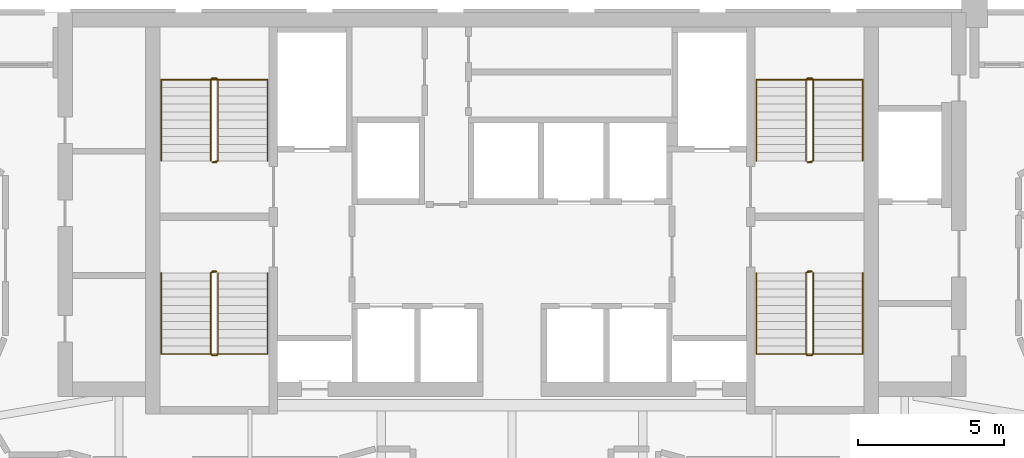
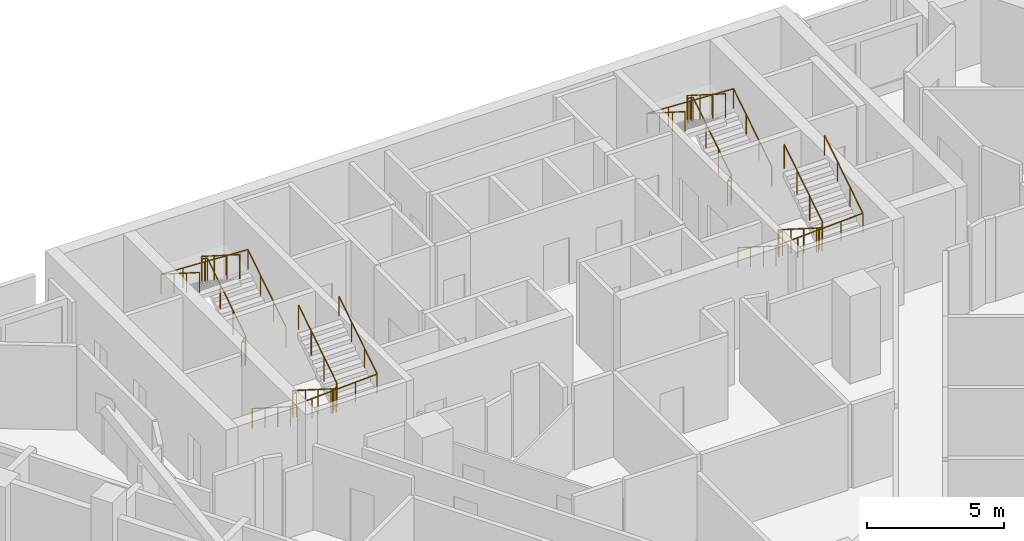
# One storey, part 9 of 9: 8 railings.
"""IFC4 building model written with IfcOpenShell, lengths in metres."""

from ifc_helpers import new_model, si_unit, direction, frame, origin, origin_2d, place, context, subcontext, project, spatial, circle, extrude, material, type_object, element, save


model = new_model("IFC4")

# Units and contexts
model_context = context("Model", 3, precision=1e-05, world=origin(), true_north=direction((0.0, 1.0)))
body_context = subcontext(model_context, "Body", "Model", "MODEL_VIEW")
ifc_project = project(units=[si_unit("LENGTHUNIT", "METRE"), si_unit("AREAUNIT", "SQUARE_METRE"), si_unit("VOLUMEUNIT", "CUBIC_METRE"), si_unit("PLANEANGLEUNIT", "RADIAN"), si_unit("MASSUNIT", "GRAM", prefix="KILO")], contexts=[model_context])

# Site, building, storey
site_placement = place(None, origin())
site = spatial("IfcSite", under=ifc_project, at=site_placement, CompositionType="ELEMENT")
building_placement = place(site_placement, origin())
building = spatial("IfcBuilding", under=site, at=building_placement, Name="Calabash Gate Tower", CompositionType="ELEMENT")
storey_placement = place(building_placement, frame((0.0, 0.0, 160.199951171875)))
storey = spatial("IfcBuildingStorey", under=building, at=storey_placement, Name="L37", CompositionType="ELEMENT", Elevation=160.199951171875)

# Railings
ifc_material_1 = material(Name="Black powder-coated steel balusters", Category="steel")
railing_type_1 = type_object("IfcRailingType", Name="Stair guard RL1100", PredefinedType="GUARDRAIL", material=ifc_material_1)
railing_1_placement = place(storey_placement, frame((-10.14990234375, 13.902587890625, 0.0)))
element("IfcRailing", 1, at=railing_1_placement, inside=storey, type_object=railing_type_1, Name="L37 ST1 stair guard 1", PredefinedType="GUARDRAIL", context=body_context, shape_type="SweptSolid", body=[
    extrude(circle(Radius=0.02392578125, at=origin_2d()), frame((0.0, 0.0, 1.076171875), z_axis=(-1.0, 0.0, 0.0), x_axis=(0.0, -1.0, 0.0)), (0.0, 0.0, 1.0), 0.150146484375),
    extrude(circle(Radius=0.02392578125, at=origin_2d()), frame((-0.150146484375, 0.0, 1.076171875), z_axis=(0.735524641326, 0.184105679453, 0.652003528208), x_axis=(-0.242814311512, 0.970072785993, 0.0)), (0.0, 0.0, 1.0), 0.271728515625),
    extrude(circle(Radius=0.02392578125, at=origin_2d()), frame((0.0498046875, 0.050048828125, 1.25341796875), z_axis=(0.0, 0.844041424197, 0.536277982245), x_axis=(-1.0, 0.0, 0.0)), (0.0, 0.0, 1.0), 3.3056640625),
    extrude(circle(Radius=0.02392578125, at=origin_2d()), frame((0.0498046875, 2.840087890625, 3.02587890625), z_axis=(-0.707106781187, 0.707106781187, 0.0), x_axis=(-0.707106781187, -0.707106781187, 0.0)), (0.0, 0.0, 1.0), 0.0703125),
    extrude(circle(Radius=0.02392578125, at=origin_2d()), frame((0.0, 2.889892578125, 3.02587890625), z_axis=(-1.0, 0.0, 0.0), x_axis=(0.0, -1.0, 0.0)), (0.0, 0.0, 1.0), 0.150146484375),
    extrude(circle(Radius=0.02392578125, at=origin_2d()), frame((-0.150146484375, 2.889892578125, 3.02587890625), z_axis=(-0.262009983441, -0.260731885961, 0.929176868105), x_axis=(0.705375805398, -0.708833529934, 0.0)), (0.0, 0.0, 1.0), 0.19091796875),
    extrude(circle(Radius=0.02392578125, at=origin_2d()), frame((-0.2001953125, 2.840087890625, 3.20361328125), z_axis=(0.0, -0.844041424197, 0.536277982245), x_axis=(1.0, 0.0, 0.0)), (0.0, 0.0, 1.0), 3.3056640625),
    extrude(circle(Radius=0.02099609375, at=origin_2d()), origin(), (0.0, 0.0, 1.0), 1.052001953125),
    extrude(circle(Radius=0.02099609375, at=origin_2d()), frame((-0.150146484375, 0.0, 0.0)), (0.0, 0.0, 1.0), 1.052001953125),
    extrude(circle(Radius=0.02099609375, at=origin_2d()), frame((0.0498046875, 0.050048828125, 0.17724609375)), (0.0, 0.0, 1.0), 1.052001953125),
    extrude(circle(Radius=0.02099609375, at=origin_2d()), frame((0.0498046875, 0.97998046875, 0.76806640625)), (0.0, 0.0, 1.0), 1.052001953125),
    extrude(circle(Radius=0.02099609375, at=origin_2d()), frame((0.0498046875, 1.91015625, 1.359130859375)), (0.0, 0.0, 1.0), 1.052001953125),
    extrude(circle(Radius=0.02099609375, at=origin_2d()), frame((0.0498046875, 2.840087890625, 1.949951171875)), (0.0, 0.0, 1.0), 1.052001953125),
    extrude(circle(Radius=0.02099609375, at=origin_2d()), frame((0.0, 2.889892578125, 1.949951171875)), (0.0, 0.0, 1.0), 1.052001953125),
    extrude(circle(Radius=0.02099609375, at=origin_2d()), frame((-0.150146484375, 2.889892578125, 1.949951171875)), (0.0, 0.0, 1.0), 1.052001953125),
    extrude(circle(Radius=0.02099609375, at=origin_2d()), frame((-0.2001953125, 2.840087890625, 2.12744140625)), (0.0, 0.0, 1.0), 1.052001953125),
    extrude(circle(Radius=0.02099609375, at=origin_2d()), frame((-0.2001953125, 1.91015625, 2.71826171875)), (0.0, 0.0, 1.0), 1.052001953125),
    extrude(circle(Radius=0.02099609375, at=origin_2d()), frame((-0.2001953125, 0.97998046875, 3.309326171875)), (0.0, 0.0, 1.0), 1.052001953125),
    extrude(circle(Radius=0.02099609375, at=origin_2d()), frame((-0.2001953125, 0.050048828125, 3.900146484375)), (0.0, 0.0, 1.0), 1.052001953125),
])
railing_2_placement = place(storey_placement, frame((-10.300048828125, 10.152587890625, 0.0)))
element("IfcRailing", 2, at=railing_2_placement, inside=storey, type_object=railing_type_1, Name="L37 ST2 stair guard 1", PredefinedType="GUARDRAIL", context=body_context, shape_type="SweptSolid", body=[
    extrude(circle(Radius=0.02392578125, at=origin_2d()), frame((0.0, 0.0, 1.076171875), z_axis=(1.0, 0.0, 0.0), x_axis=(0.0, 1.0, 0.0)), (0.0, 0.0, 1.0), 0.150146484375),
    extrude(circle(Radius=0.02392578125, at=origin_2d()), frame((0.150146484375, 0.0, 1.076171875), z_axis=(-0.735936453418, -0.183984113355, 0.651573006319), x_axis=(0.242535625036, -0.970142500145, 0.0)), (0.0, 0.0, 1.0), 0.27197265625),
    extrude(circle(Radius=0.02392578125, at=origin_2d()), frame((-0.050048828125, -0.050048828125, 1.25341796875), z_axis=(0.0, -0.844041424197, 0.536277982245), x_axis=(1.0, 0.0, 0.0)), (0.0, 0.0, 1.0), 3.3056640625),
    extrude(circle(Radius=0.02392578125, at=origin_2d()), frame((-0.050048828125, -2.840087890625, 3.02587890625), z_axis=(0.708833529934, -0.705375805398, 0.0), x_axis=(0.705375805398, 0.708833529934, 0.0)), (0.0, 0.0, 1.0), 0.070556640625),
    extrude(circle(Radius=0.02392578125, at=origin_2d()), frame((0.0, -2.889892578125, 3.02587890625), z_axis=(1.0, 0.0, 0.0), x_axis=(0.0, 1.0, 0.0)), (0.0, 0.0, 1.0), 0.150146484375),
    extrude(circle(Radius=0.02392578125, at=origin_2d()), frame((0.150146484375, -2.889892578125, 3.02587890625), z_axis=(0.26081902908, 0.26081902908, 0.92948742226), x_axis=(-0.707106781187, 0.707106781187, 0.0)), (0.0, 0.0, 1.0), 0.19091796875),
    extrude(circle(Radius=0.02392578125, at=origin_2d()), frame((0.199951171875, -2.840087890625, 3.20361328125), z_axis=(0.0, 0.844041424197, 0.536277982245), x_axis=(-1.0, 0.0, 0.0)), (0.0, 0.0, 1.0), 3.3056640625),
    extrude(circle(Radius=0.02099609375, at=origin_2d()), origin(), (0.0, 0.0, 1.0), 1.052001953125),
    extrude(circle(Radius=0.02099609375, at=origin_2d()), frame((0.150146484375, 0.0, 0.0)), (0.0, 0.0, 1.0), 1.052001953125),
    extrude(circle(Radius=0.02099609375, at=origin_2d()), frame((-0.050048828125, -0.050048828125, 0.17724609375)), (0.0, 0.0, 1.0), 1.052001953125),
    extrude(circle(Radius=0.02099609375, at=origin_2d()), frame((-0.050048828125, -0.97998046875, 0.76806640625)), (0.0, 0.0, 1.0), 1.052001953125),
    extrude(circle(Radius=0.02099609375, at=origin_2d()), frame((-0.050048828125, -1.91015625, 1.359130859375)), (0.0, 0.0, 1.0), 1.052001953125),
    extrude(circle(Radius=0.02099609375, at=origin_2d()), frame((-0.050048828125, -2.840087890625, 1.949951171875)), (0.0, 0.0, 1.0), 1.052001953125),
    extrude(circle(Radius=0.02099609375, at=origin_2d()), frame((0.0, -2.889892578125, 1.949951171875)), (0.0, 0.0, 1.0), 1.052001953125),
    extrude(circle(Radius=0.02099609375, at=origin_2d()), frame((0.150146484375, -2.889892578125, 1.949951171875)), (0.0, 0.0, 1.0), 1.052001953125),
    extrude(circle(Radius=0.02099609375, at=origin_2d()), frame((0.199951171875, -2.840087890625, 2.12744140625)), (0.0, 0.0, 1.0), 1.052001953125),
    extrude(circle(Radius=0.02099609375, at=origin_2d()), frame((0.199951171875, -1.91015625, 2.71826171875)), (0.0, 0.0, 1.0), 1.052001953125),
    extrude(circle(Radius=0.02099609375, at=origin_2d()), frame((0.199951171875, -0.97998046875, 3.309326171875)), (0.0, 0.0, 1.0), 1.052001953125),
    extrude(circle(Radius=0.02099609375, at=origin_2d()), frame((0.199951171875, -0.050048828125, 3.900146484375)), (0.0, 0.0, 1.0), 1.052001953125),
])
railing_3_placement = place(storey_placement, frame((10.300048828125, 13.902587890625, 0.0)))
element("IfcRailing", 3, at=railing_3_placement, inside=storey, type_object=railing_type_1, Name="L37 ST3 stair guard 1", PredefinedType="GUARDRAIL", context=body_context, shape_type="SweptSolid", body=[
    extrude(circle(Radius=0.02392578125, at=origin_2d()), frame((0.0, 0.0, 1.076171875), z_axis=(-1.0, 0.0, 0.0), x_axis=(0.0, -1.0, 0.0)), (0.0, 0.0, 1.0), 0.150146484375),
    extrude(circle(Radius=0.02392578125, at=origin_2d()), frame((-0.150146484375, 0.0, 1.076171875), z_axis=(0.735936453418, 0.183984113355, 0.651573006319), x_axis=(-0.242535625036, 0.970142500145, 0.0)), (0.0, 0.0, 1.0), 0.27197265625),
    extrude(circle(Radius=0.02392578125, at=origin_2d()), frame((0.050048828125, 0.050048828125, 1.25341796875), z_axis=(0.0, 0.844041424197, 0.536277982245), x_axis=(-1.0, 0.0, 0.0)), (0.0, 0.0, 1.0), 3.3056640625),
    extrude(circle(Radius=0.02392578125, at=origin_2d()), frame((0.050048828125, 2.840087890625, 3.02587890625), z_axis=(-0.708833529934, 0.705375805398, 0.0), x_axis=(-0.705375805398, -0.708833529934, 0.0)), (0.0, 0.0, 1.0), 0.070556640625),
    extrude(circle(Radius=0.02392578125, at=origin_2d()), frame((0.0, 2.889892578125, 3.02587890625), z_axis=(-1.0, 0.0, 0.0), x_axis=(0.0, -1.0, 0.0)), (0.0, 0.0, 1.0), 0.150146484375),
    extrude(circle(Radius=0.02392578125, at=origin_2d()), frame((-0.150146484375, 2.889892578125, 3.02587890625), z_axis=(-0.26081902908, -0.26081902908, 0.92948742226), x_axis=(0.707106781187, -0.707106781187, 0.0)), (0.0, 0.0, 1.0), 0.19091796875),
    extrude(circle(Radius=0.02392578125, at=origin_2d()), frame((-0.199951171875, 2.840087890625, 3.20361328125), z_axis=(0.0, -0.844041424197, 0.536277982245), x_axis=(1.0, 0.0, 0.0)), (0.0, 0.0, 1.0), 3.3056640625),
    extrude(circle(Radius=0.02099609375, at=origin_2d()), origin(), (0.0, 0.0, 1.0), 1.052001953125),
    extrude(circle(Radius=0.02099609375, at=origin_2d()), frame((-0.150146484375, 0.0, 0.0)), (0.0, 0.0, 1.0), 1.052001953125),
    extrude(circle(Radius=0.02099609375, at=origin_2d()), frame((0.050048828125, 0.050048828125, 0.17724609375)), (0.0, 0.0, 1.0), 1.052001953125),
    extrude(circle(Radius=0.02099609375, at=origin_2d()), frame((0.050048828125, 0.97998046875, 0.76806640625)), (0.0, 0.0, 1.0), 1.052001953125),
    extrude(circle(Radius=0.02099609375, at=origin_2d()), frame((0.050048828125, 1.91015625, 1.359130859375)), (0.0, 0.0, 1.0), 1.052001953125),
    extrude(circle(Radius=0.02099609375, at=origin_2d()), frame((0.050048828125, 2.840087890625, 1.949951171875)), (0.0, 0.0, 1.0), 1.052001953125),
    extrude(circle(Radius=0.02099609375, at=origin_2d()), frame((0.0, 2.889892578125, 1.949951171875)), (0.0, 0.0, 1.0), 1.052001953125),
    extrude(circle(Radius=0.02099609375, at=origin_2d()), frame((-0.150146484375, 2.889892578125, 1.949951171875)), (0.0, 0.0, 1.0), 1.052001953125),
    extrude(circle(Radius=0.02099609375, at=origin_2d()), frame((-0.199951171875, 2.840087890625, 2.12744140625)), (0.0, 0.0, 1.0), 1.052001953125),
    extrude(circle(Radius=0.02099609375, at=origin_2d()), frame((-0.199951171875, 1.91015625, 2.71826171875)), (0.0, 0.0, 1.0), 1.052001953125),
    extrude(circle(Radius=0.02099609375, at=origin_2d()), frame((-0.199951171875, 0.97998046875, 3.309326171875)), (0.0, 0.0, 1.0), 1.052001953125),
    extrude(circle(Radius=0.02099609375, at=origin_2d()), frame((-0.199951171875, 0.050048828125, 3.900146484375)), (0.0, 0.0, 1.0), 1.052001953125),
])
railing_4_placement = place(storey_placement, frame((10.14990234375, 10.152587890625, 0.0)))
element("IfcRailing", 4, at=railing_4_placement, inside=storey, type_object=railing_type_1, Name="L37 ST4 stair guard 1", PredefinedType="GUARDRAIL", context=body_context, shape_type="SweptSolid", body=[
    extrude(circle(Radius=0.02392578125, at=origin_2d()), frame((0.0, 0.0, 1.076171875), z_axis=(1.0, 0.0, 0.0), x_axis=(0.0, 1.0, 0.0)), (0.0, 0.0, 1.0), 0.150146484375),
    extrude(circle(Radius=0.02392578125, at=origin_2d()), frame((0.150146484375, 0.0, 1.076171875), z_axis=(-0.735524641326, -0.184105679453, 0.652003528208), x_axis=(0.242814311512, -0.970072785993, 0.0)), (0.0, 0.0, 1.0), 0.271728515625),
    extrude(circle(Radius=0.02392578125, at=origin_2d()), frame((-0.0498046875, -0.050048828125, 1.25341796875), z_axis=(0.0, -0.844041424197, 0.536277982245), x_axis=(1.0, 0.0, 0.0)), (0.0, 0.0, 1.0), 3.3056640625),
    extrude(circle(Radius=0.02392578125, at=origin_2d()), frame((-0.0498046875, -2.840087890625, 3.02587890625), z_axis=(0.707106781187, -0.707106781187, 0.0), x_axis=(0.707106781187, 0.707106781187, 0.0)), (0.0, 0.0, 1.0), 0.0703125),
    extrude(circle(Radius=0.02392578125, at=origin_2d()), frame((0.0, -2.889892578125, 3.02587890625), z_axis=(1.0, 0.0, 0.0), x_axis=(0.0, 1.0, 0.0)), (0.0, 0.0, 1.0), 0.150146484375),
    extrude(circle(Radius=0.02392578125, at=origin_2d()), frame((0.150146484375, -2.889892578125, 3.02587890625), z_axis=(0.262009983441, 0.260731885961, 0.929176868105), x_axis=(-0.705375805398, 0.708833529934, 0.0)), (0.0, 0.0, 1.0), 0.19091796875),
    extrude(circle(Radius=0.02392578125, at=origin_2d()), frame((0.2001953125, -2.840087890625, 3.20361328125), z_axis=(0.0, 0.844041424197, 0.536277982245), x_axis=(-1.0, 0.0, 0.0)), (0.0, 0.0, 1.0), 3.3056640625),
    extrude(circle(Radius=0.02099609375, at=origin_2d()), origin(), (0.0, 0.0, 1.0), 1.052001953125),
    extrude(circle(Radius=0.02099609375, at=origin_2d()), frame((0.150146484375, 0.0, 0.0)), (0.0, 0.0, 1.0), 1.052001953125),
    extrude(circle(Radius=0.02099609375, at=origin_2d()), frame((-0.0498046875, -0.050048828125, 0.17724609375)), (0.0, 0.0, 1.0), 1.052001953125),
    extrude(circle(Radius=0.02099609375, at=origin_2d()), frame((-0.0498046875, -0.97998046875, 0.76806640625)), (0.0, 0.0, 1.0), 1.052001953125),
    extrude(circle(Radius=0.02099609375, at=origin_2d()), frame((-0.0498046875, -1.91015625, 1.359130859375)), (0.0, 0.0, 1.0), 1.052001953125),
    extrude(circle(Radius=0.02099609375, at=origin_2d()), frame((-0.0498046875, -2.840087890625, 1.949951171875)), (0.0, 0.0, 1.0), 1.052001953125),
    extrude(circle(Radius=0.02099609375, at=origin_2d()), frame((0.0, -2.889892578125, 1.949951171875)), (0.0, 0.0, 1.0), 1.052001953125),
    extrude(circle(Radius=0.02099609375, at=origin_2d()), frame((0.150146484375, -2.889892578125, 1.949951171875)), (0.0, 0.0, 1.0), 1.052001953125),
    extrude(circle(Radius=0.02099609375, at=origin_2d()), frame((0.2001953125, -2.840087890625, 2.12744140625)), (0.0, 0.0, 1.0), 1.052001953125),
    extrude(circle(Radius=0.02099609375, at=origin_2d()), frame((0.2001953125, -1.91015625, 2.71826171875)), (0.0, 0.0, 1.0), 1.052001953125),
    extrude(circle(Radius=0.02099609375, at=origin_2d()), frame((0.2001953125, -0.97998046875, 3.309326171875)), (0.0, 0.0, 1.0), 1.052001953125),
    extrude(circle(Radius=0.02099609375, at=origin_2d()), frame((0.2001953125, -0.050048828125, 3.900146484375)), (0.0, 0.0, 1.0), 1.052001953125),
])
ifc_material_2 = material(Name="Black powder-coated steel tube 48 mm", Category="steel")
railing_type_2 = type_object("IfcRailingType", Name="Stair handrail RL900", PredefinedType="HANDRAIL", material=ifc_material_2)
railing_5_placement = place(storey_placement, frame((-8.39990234375, 13.95263671875, 0.17724609375)))
element("IfcRailing", 5, at=railing_5_placement, inside=storey, type_object=railing_type_2, Name="L37 ST1 stair handrail 1", PredefinedType="HANDRAIL", context=body_context, shape_type="SweptSolid", body=[
    extrude(circle(Radius=0.02392578125, at=origin_2d()), frame((0.0, 0.0, 0.8759765625), z_axis=(0.0, 0.844041424197, 0.536277982245), x_axis=(-1.0, 0.0, 0.0)), (0.0, 0.0, 1.0), 3.3056640625),
    extrude(circle(Radius=0.02392578125, at=origin_2d()), frame((0.0, 2.7900390625, 2.6484375), z_axis=(-0.998819872233, 0.0, 0.048568125685), x_axis=(0.0, -1.0, 0.0)), (0.0, 0.0, 1.0), 3.654541015625),
    extrude(circle(Radius=0.02392578125, at=origin_2d()), frame((-3.650146484375, 2.7900390625, 2.826171875), z_axis=(0.0, -0.844041424197, 0.536277982245), x_axis=(1.0, 0.0, 0.0)), (0.0, 0.0, 1.0), 3.3056640625),
    extrude(circle(Radius=0.02099609375, at=origin_2d()), origin(), (0.0, 0.0, 1.0), 0.851806640625),
    extrude(circle(Radius=0.02099609375, at=origin_2d()), frame((0.0, 0.929931640625, 0.5908203125)), (0.0, 0.0, 1.0), 0.851806640625),
    extrude(circle(Radius=0.02099609375, at=origin_2d()), frame((0.0, 1.860107421875, 1.181884765625)), (0.0, 0.0, 1.0), 0.851806640625),
    extrude(circle(Radius=0.02099609375, at=origin_2d()), frame((0.0, 2.7900390625, 1.772705078125)), (0.0, 0.0, 1.0), 0.851806640625),
    extrude(circle(Radius=0.02099609375, at=origin_2d()), frame((-0.91259765625, 2.7900390625, 1.817138671875)), (0.0, 0.0, 1.0), 0.851806640625),
    extrude(circle(Radius=0.02099609375, at=origin_2d()), frame((-1.8251953125, 2.7900390625, 1.861328125)), (0.0, 0.0, 1.0), 0.851806640625),
    extrude(circle(Radius=0.02099609375, at=origin_2d()), frame((-2.737548828125, 2.7900390625, 1.90576171875)), (0.0, 0.0, 1.0), 0.851806640625),
    extrude(circle(Radius=0.02099609375, at=origin_2d()), frame((-3.650146484375, 2.7900390625, 1.9501953125)), (0.0, 0.0, 1.0), 0.851806640625),
    extrude(circle(Radius=0.02099609375, at=origin_2d()), frame((-3.650146484375, 1.860107421875, 2.541015625)), (0.0, 0.0, 1.0), 0.851806640625),
    extrude(circle(Radius=0.02099609375, at=origin_2d()), frame((-3.650146484375, 0.929931640625, 3.132080078125)), (0.0, 0.0, 1.0), 0.851806640625),
    extrude(circle(Radius=0.02099609375, at=origin_2d()), frame((-3.650146484375, 0.0, 3.722900390625)), (0.0, 0.0, 1.0), 0.851806640625),
])
railing_6_placement = place(storey_placement, frame((-12.050048828125, 10.1025390625, 0.17724609375)))
element("IfcRailing", 6, at=railing_6_placement, inside=storey, type_object=railing_type_2, Name="L37 ST2 stair handrail 1", PredefinedType="HANDRAIL", context=body_context, shape_type="SweptSolid", body=[
    extrude(circle(Radius=0.02392578125, at=origin_2d()), frame((0.0, 0.0, 0.8759765625), z_axis=(0.0, -0.844041424197, 0.536277982245), x_axis=(1.0, 0.0, 0.0)), (0.0, 0.0, 1.0), 3.3056640625),
    extrude(circle(Radius=0.02392578125, at=origin_2d()), frame((0.0, -2.7900390625, 2.6484375), z_axis=(0.998819872233, 0.0, 0.048568125685), x_axis=(0.0, 1.0, 0.0)), (0.0, 0.0, 1.0), 3.654541015625),
    extrude(circle(Radius=0.02392578125, at=origin_2d()), frame((3.650146484375, -2.7900390625, 2.826171875), z_axis=(0.0, 0.844041424197, 0.536277982245), x_axis=(-1.0, 0.0, 0.0)), (0.0, 0.0, 1.0), 3.3056640625),
    extrude(circle(Radius=0.02099609375, at=origin_2d()), origin(), (0.0, 0.0, 1.0), 0.851806640625),
    extrude(circle(Radius=0.02099609375, at=origin_2d()), frame((0.0, -0.929931640625, 0.5908203125)), (0.0, 0.0, 1.0), 0.851806640625),
    extrude(circle(Radius=0.02099609375, at=origin_2d()), frame((0.0, -1.860107421875, 1.181884765625)), (0.0, 0.0, 1.0), 0.851806640625),
    extrude(circle(Radius=0.02099609375, at=origin_2d()), frame((0.0, -2.7900390625, 1.772705078125)), (0.0, 0.0, 1.0), 0.851806640625),
    extrude(circle(Radius=0.02099609375, at=origin_2d()), frame((0.91259765625, -2.7900390625, 1.817138671875)), (0.0, 0.0, 1.0), 0.851806640625),
    extrude(circle(Radius=0.02099609375, at=origin_2d()), frame((1.8251953125, -2.7900390625, 1.861328125)), (0.0, 0.0, 1.0), 0.851806640625),
    extrude(circle(Radius=0.02099609375, at=origin_2d()), frame((2.737548828125, -2.7900390625, 1.90576171875)), (0.0, 0.0, 1.0), 0.851806640625),
    extrude(circle(Radius=0.02099609375, at=origin_2d()), frame((3.650146484375, -2.7900390625, 1.9501953125)), (0.0, 0.0, 1.0), 0.851806640625),
    extrude(circle(Radius=0.02099609375, at=origin_2d()), frame((3.650146484375, -1.860107421875, 2.541015625)), (0.0, 0.0, 1.0), 0.851806640625),
    extrude(circle(Radius=0.02099609375, at=origin_2d()), frame((3.650146484375, -0.929931640625, 3.132080078125)), (0.0, 0.0, 1.0), 0.851806640625),
    extrude(circle(Radius=0.02099609375, at=origin_2d()), frame((3.650146484375, 0.0, 3.722900390625)), (0.0, 0.0, 1.0), 0.851806640625),
])
railing_7_placement = place(storey_placement, frame((12.050048828125, 13.95263671875, 0.17724609375)))
element("IfcRailing", 7, at=railing_7_placement, inside=storey, type_object=railing_type_2, Name="L37 ST3 stair handrail 1", PredefinedType="HANDRAIL", context=body_context, shape_type="SweptSolid", body=[
    extrude(circle(Radius=0.02392578125, at=origin_2d()), frame((0.0, 0.0, 0.8759765625), z_axis=(0.0, 0.844041424197, 0.536277982245), x_axis=(-1.0, 0.0, 0.0)), (0.0, 0.0, 1.0), 3.3056640625),
    extrude(circle(Radius=0.02392578125, at=origin_2d()), frame((0.0, 2.7900390625, 2.6484375), z_axis=(-0.998819872233, 0.0, 0.048568125685), x_axis=(0.0, -1.0, 0.0)), (0.0, 0.0, 1.0), 3.654541015625),
    extrude(circle(Radius=0.02392578125, at=origin_2d()), frame((-3.650146484375, 2.7900390625, 2.826171875), z_axis=(0.0, -0.844041424197, 0.536277982245), x_axis=(1.0, 0.0, 0.0)), (0.0, 0.0, 1.0), 3.3056640625),
    extrude(circle(Radius=0.02099609375, at=origin_2d()), origin(), (0.0, 0.0, 1.0), 0.851806640625),
    extrude(circle(Radius=0.02099609375, at=origin_2d()), frame((0.0, 0.929931640625, 0.5908203125)), (0.0, 0.0, 1.0), 0.851806640625),
    extrude(circle(Radius=0.02099609375, at=origin_2d()), frame((0.0, 1.860107421875, 1.181884765625)), (0.0, 0.0, 1.0), 0.851806640625),
    extrude(circle(Radius=0.02099609375, at=origin_2d()), frame((0.0, 2.7900390625, 1.772705078125)), (0.0, 0.0, 1.0), 0.851806640625),
    extrude(circle(Radius=0.02099609375, at=origin_2d()), frame((-0.91259765625, 2.7900390625, 1.817138671875)), (0.0, 0.0, 1.0), 0.851806640625),
    extrude(circle(Radius=0.02099609375, at=origin_2d()), frame((-1.8251953125, 2.7900390625, 1.861328125)), (0.0, 0.0, 1.0), 0.851806640625),
    extrude(circle(Radius=0.02099609375, at=origin_2d()), frame((-2.737548828125, 2.7900390625, 1.90576171875)), (0.0, 0.0, 1.0), 0.851806640625),
    extrude(circle(Radius=0.02099609375, at=origin_2d()), frame((-3.650146484375, 2.7900390625, 1.9501953125)), (0.0, 0.0, 1.0), 0.851806640625),
    extrude(circle(Radius=0.02099609375, at=origin_2d()), frame((-3.650146484375, 1.860107421875, 2.541015625)), (0.0, 0.0, 1.0), 0.851806640625),
    extrude(circle(Radius=0.02099609375, at=origin_2d()), frame((-3.650146484375, 0.929931640625, 3.132080078125)), (0.0, 0.0, 1.0), 0.851806640625),
    extrude(circle(Radius=0.02099609375, at=origin_2d()), frame((-3.650146484375, 0.0, 3.722900390625)), (0.0, 0.0, 1.0), 0.851806640625),
])
railing_8_placement = place(storey_placement, frame((8.39990234375, 10.1025390625, 0.17724609375)))
element("IfcRailing", 8, at=railing_8_placement, inside=storey, type_object=railing_type_2, Name="L37 ST4 stair handrail 1", PredefinedType="HANDRAIL", context=body_context, shape_type="SweptSolid", body=[
    extrude(circle(Radius=0.02392578125, at=origin_2d()), frame((0.0, 0.0, 0.8759765625), z_axis=(0.0, -0.844041424197, 0.536277982245), x_axis=(1.0, 0.0, 0.0)), (0.0, 0.0, 1.0), 3.3056640625),
    extrude(circle(Radius=0.02392578125, at=origin_2d()), frame((0.0, -2.7900390625, 2.6484375), z_axis=(0.998819872233, 0.0, 0.048568125685), x_axis=(0.0, 1.0, 0.0)), (0.0, 0.0, 1.0), 3.654541015625),
    extrude(circle(Radius=0.02392578125, at=origin_2d()), frame((3.650146484375, -2.7900390625, 2.826171875), z_axis=(0.0, 0.844041424197, 0.536277982245), x_axis=(-1.0, 0.0, 0.0)), (0.0, 0.0, 1.0), 3.3056640625),
    extrude(circle(Radius=0.02099609375, at=origin_2d()), origin(), (0.0, 0.0, 1.0), 0.851806640625),
    extrude(circle(Radius=0.02099609375, at=origin_2d()), frame((0.0, -0.929931640625, 0.5908203125)), (0.0, 0.0, 1.0), 0.851806640625),
    extrude(circle(Radius=0.02099609375, at=origin_2d()), frame((0.0, -1.860107421875, 1.181884765625)), (0.0, 0.0, 1.0), 0.851806640625),
    extrude(circle(Radius=0.02099609375, at=origin_2d()), frame((0.0, -2.7900390625, 1.772705078125)), (0.0, 0.0, 1.0), 0.851806640625),
    extrude(circle(Radius=0.02099609375, at=origin_2d()), frame((0.91259765625, -2.7900390625, 1.817138671875)), (0.0, 0.0, 1.0), 0.851806640625),
    extrude(circle(Radius=0.02099609375, at=origin_2d()), frame((1.8251953125, -2.7900390625, 1.861328125)), (0.0, 0.0, 1.0), 0.851806640625),
    extrude(circle(Radius=0.02099609375, at=origin_2d()), frame((2.737548828125, -2.7900390625, 1.90576171875)), (0.0, 0.0, 1.0), 0.851806640625),
    extrude(circle(Radius=0.02099609375, at=origin_2d()), frame((3.650146484375, -2.7900390625, 1.9501953125)), (0.0, 0.0, 1.0), 0.851806640625),
    extrude(circle(Radius=0.02099609375, at=origin_2d()), frame((3.650146484375, -1.860107421875, 2.541015625)), (0.0, 0.0, 1.0), 0.851806640625),
    extrude(circle(Radius=0.02099609375, at=origin_2d()), frame((3.650146484375, -0.929931640625, 3.132080078125)), (0.0, 0.0, 1.0), 0.851806640625),
    extrude(circle(Radius=0.02099609375, at=origin_2d()), frame((3.650146484375, 0.0, 3.722900390625)), (0.0, 0.0, 1.0), 0.851806640625),
])

save(model, "model.ifc")
